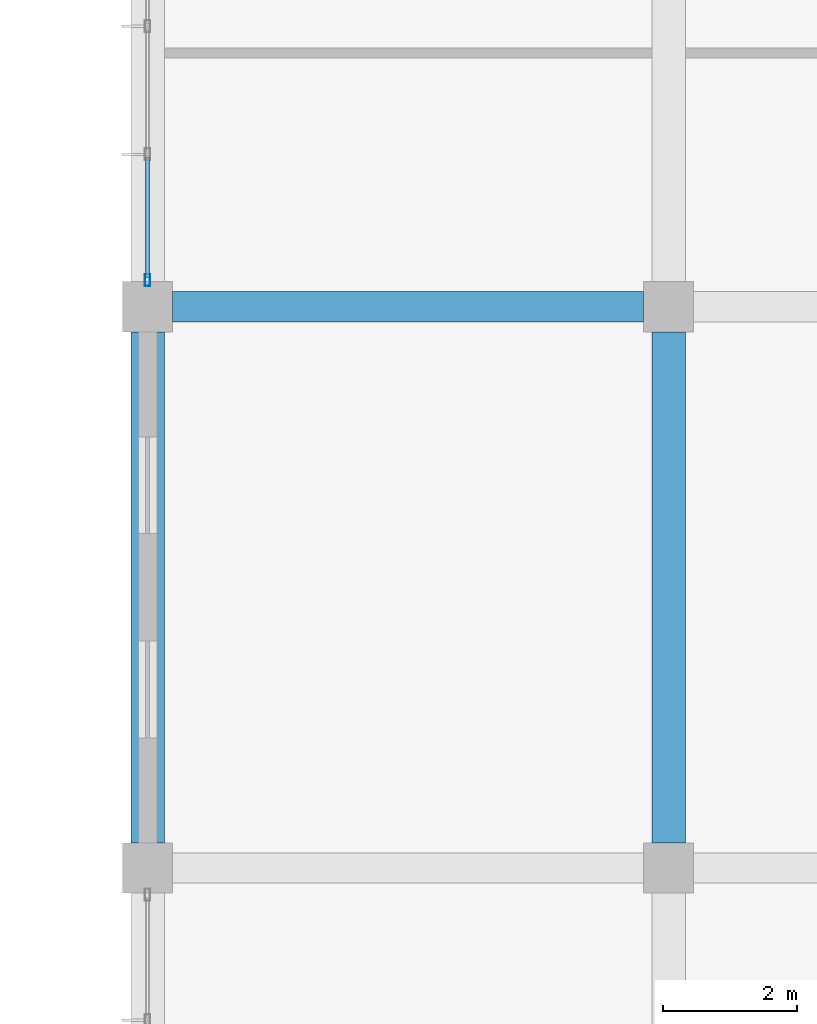
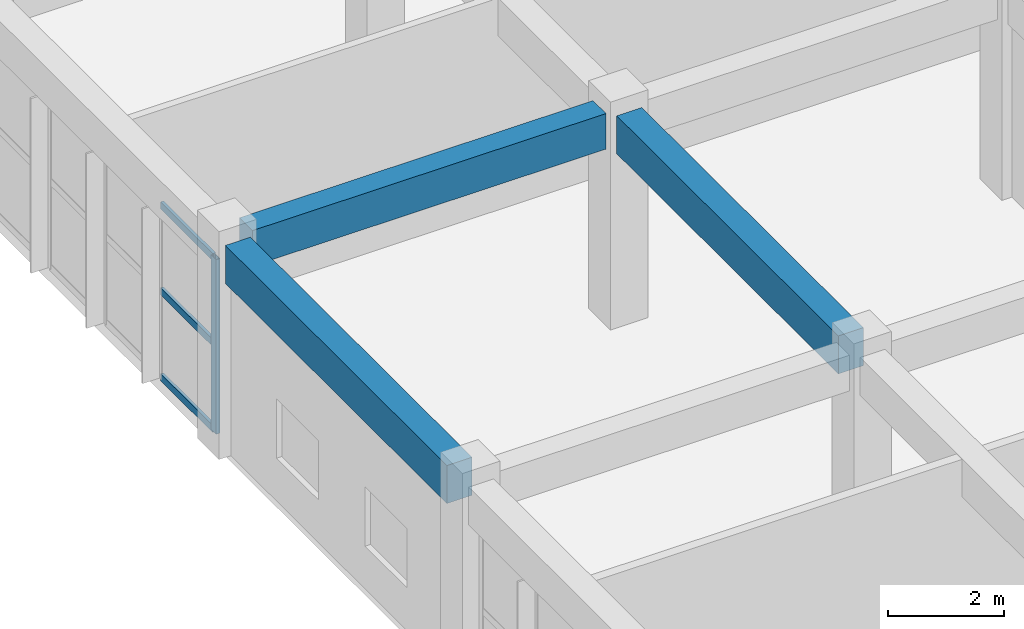
# One storey, part 68 of 175: 4 members, 3 beams, 1 element without a shape of its own.
"""IFC4 building model written with IfcOpenShell, lengths in metres."""

from ifc_helpers import new_model, si_unit, direction, frame, origin, origin_2d, place, context, subcontext, project, spatial, rectangle, hollow_rectangle, extrude, material, layer, layer_set, material_profile, profile_set, type_object, element, aggregate, save


model = new_model("IFC4")

# Units and contexts
model_context = context("Model", 3, precision=1e-05, world=origin(), true_north=direction((0.0, 1.0)))
body_context = subcontext(model_context, "Body", "Model", "MODEL_VIEW")
ifc_project = project(units=[si_unit("LENGTHUNIT", "METRE"), si_unit("AREAUNIT", "SQUARE_METRE"), si_unit("VOLUMEUNIT", "CUBIC_METRE"), si_unit("PLANEANGLEUNIT", "RADIAN"), si_unit("MASSUNIT", "GRAM", prefix="KILO")], contexts=[model_context])

# Site, building, storey
site_placement = place(None, origin())
site = spatial("IfcSite", under=ifc_project, at=site_placement, CompositionType="ELEMENT")
building_placement = place(site_placement, origin())
building = spatial("IfcBuilding", under=site, at=building_placement, Name="Zizhar Promenade General Hospital", CompositionType="ELEMENT")
storey_placement = place(building_placement, frame((0.0, 0.0, 4.800048828125)))
storey = spatial("IfcBuildingStorey", under=building, at=storey_placement, Name="L01", CompositionType="ELEMENT", Elevation=4.800048828125)

# Beams
ifc_material_1 = material(Name="Concrete C35/45", Category="concrete")
ifc_material_profile_1 = material_profile(ifc_material_1, rectangle(XDim=0.449951171875, YDim=0.75, at=origin_2d()))
ifc_profile_set_1 = profile_set([ifc_material_profile_1], Name="Concrete C35/45")
beam_type_1 = type_object("IfcBeamType", Name="BM-RC-450x750", PredefinedType="BEAM", material=ifc_profile_set_1)
beam_placement = place(storey_placement, frame((47.175048828125, 117.60009765625, 4.094970703125), z_axis=(1.0, 0.0, 0.0), x_axis=(0.0, 1.0, 0.0)))
element("IfcBeam", 1, at=beam_placement, inside=storey, type_object=beam_type_1, Name="Grid Beam X L01 (6-14)", PredefinedType="BEAM", context=body_context, shape_type="SweptSolid", body=[
    extrude(rectangle(XDim=0.449951171875, YDim=0.75, at=origin_2d()), origin(), (0.0, 0.0, 1.0), 7.050048828125),
])
ifc_material_2 = material(Name="Concrete C35/45", Category="concrete")
ifc_material_profile_2 = material_profile(ifc_material_2, rectangle(XDim=0.5, YDim=0.800048828125, at=origin_2d()))
ifc_profile_set_2 = profile_set([ifc_material_profile_2], Name="Concrete C35/45")
beam_type_2 = type_object("IfcBeamType", Name="BM-RC-500x800", PredefinedType="BEAM", material=ifc_profile_set_2)
for number, where, z_axis, x_axis, name in (
    (2, (46.800048828125, 109.574951171875, 4.070068359375), (0.0, 1.0, 0.0), (-1.0, 0.0, 0.0), "Grid Beam Y L01 (6-13)"),
    (3, (54.60009765625, 109.574951171875, 4.070068359375), (0.0, 1.0, 0.0), (-1.0, 0.0, 0.0), "Grid Beam Y L01 (7-13)"),
):
    element("IfcBeam", number, at=place(storey_placement, frame(where, z_axis=z_axis, x_axis=x_axis)), inside=storey, type_object=beam_type_2, Name=name, PredefinedType="BEAM", context=body_context, shape_type="SweptSolid", body=[
        extrude(rectangle(XDim=0.5, YDim=0.800048828125, at=origin_2d()), origin(), (0.0, 0.0, 1.0), 7.650146484375),
    ])

# Curtain wall, members
ifc_material_3 = material(Name="Anodised aluminium 6063-T6 and low-E glass", Category="aluminium")
ifc_layer = layer(ifc_material_3, 0.159912109375)
ifc_layer_set = layer_set([ifc_layer], Name="Anodised aluminium 6063-T6 and low-E glass")
curtain_wall_type = type_object("IfcCurtainWallType", Name="CW-DT-MOD1", PredefinedType="NOTDEFINED", material=ifc_layer_set)
curtain_wall_placement = place(storey_placement, origin())
curtain_wall = element("IfcCurtainWall", 4, at=curtain_wall_placement, inside=storey, type_object=curtain_wall_type, Name="Surgical West Glazed Curtain Wall L01-14", PredefinedType="NOTDEFINED")
ifc_material_4 = material(Name="Anodised aluminium 6063-T6", Category="aluminium")
ifc_material_profile_3 = material_profile(ifc_material_4, hollow_rectangle(XDim=0.080078125, YDim=0.179931640625, WallThickness=0.0048828125, at=origin_2d()))
ifc_profile_set_3 = profile_set([ifc_material_profile_3], Name="Anodised aluminium 6063-T6")
member_type_1 = type_object("IfcMemberType", Name="CWM-ALU-180x80", PredefinedType="MULLION", material=ifc_profile_set_3)
member_1_placement = place(storey_placement, frame((46.800048828125, 118.0, 0.0), z_axis=(0.0, 0.0, 1.0), x_axis=(-1.0, 0.0, 0.0)))
member_1 = element("IfcMember", 5, at=member_1_placement, type_object=member_type_1, Name="CW-07 mullion 1", PredefinedType="MULLION", context=body_context, shape_type="SweptSolid", body=[
    extrude(hollow_rectangle(XDim=0.080078125, YDim=0.179931640625, WallThickness=0.0048828125, at=origin_2d()), origin(), (0.0, 0.0, 1.0), 3.679931640625),
])
ifc_material_5 = material(Name="Anodised aluminium 6063-T6", Category="aluminium")
ifc_material_profile_4 = material_profile(ifc_material_5, hollow_rectangle(XDim=0.06005859375, YDim=0.14990234375, WallThickness=0.00390625, at=origin_2d()))
ifc_profile_set_4 = profile_set([ifc_material_profile_4], Name="Anodised aluminium 6063-T6")
member_type_2 = type_object("IfcMemberType", Name="CWT-ALU-150x60", PredefinedType="USERDEFINED", material=ifc_profile_set_4)
member_2_placement = place(storey_placement, frame((46.800048828125, 118.0400390625, 0.030029296875), z_axis=(0.0, 1.0, 0.0), x_axis=(-1.0, 0.0, 0.0)))
member_2 = element("IfcMember", 6, at=member_2_placement, type_object=member_type_2, Name="CW-07 transom 1.1", ObjectType="TRANSOM", PredefinedType="USERDEFINED", context=body_context, shape_type="SweptSolid", body=[
    extrude(hollow_rectangle(XDim=0.06005859375, YDim=0.14990234375, WallThickness=0.00390625, at=origin_2d()), origin(), (0.0, 0.0, 1.0), 1.800048828125),
])
member_3_placement = place(storey_placement, frame((46.800048828125, 118.0400390625, 1.83984375), z_axis=(0.0, 1.0, 0.0), x_axis=(-1.0, 0.0, 0.0)))
member_3 = element("IfcMember", 7, at=member_3_placement, type_object=member_type_2, Name="CW-07 transom 1.2", ObjectType="TRANSOM", PredefinedType="USERDEFINED", context=body_context, shape_type="SweptSolid", body=[
    extrude(hollow_rectangle(XDim=0.06005859375, YDim=0.14990234375, WallThickness=0.00390625, at=origin_2d()), origin(), (0.0, 0.0, 1.0), 1.800048828125),
])
member_4_placement = place(storey_placement, frame((46.800048828125, 118.0400390625, 3.64990234375), z_axis=(0.0, 1.0, 0.0), x_axis=(-1.0, 0.0, 0.0)))
member_4 = element("IfcMember", 8, at=member_4_placement, type_object=member_type_2, Name="CW-07 transom 1.3", ObjectType="TRANSOM", PredefinedType="USERDEFINED", context=body_context, shape_type="SweptSolid", body=[
    extrude(hollow_rectangle(XDim=0.06005859375, YDim=0.14990234375, WallThickness=0.00390625, at=origin_2d()), origin(), (0.0, 0.0, 1.0), 1.800048828125),
])
aggregate(curtain_wall, [member_1, member_2, member_3, member_4])

save(model, "model.ifc")
